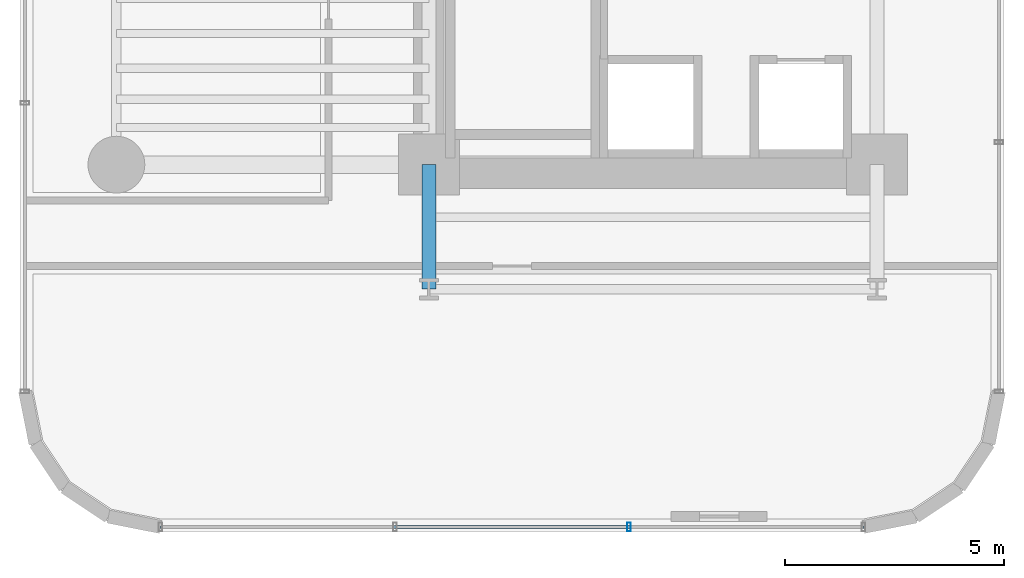
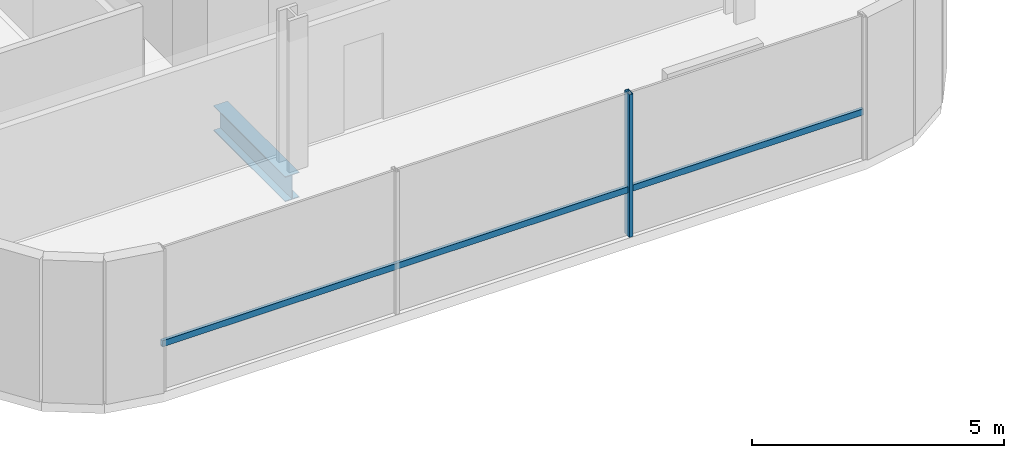
# One storey, part 3 of 40: 2 members, 1 beam, 1 element without a shape of its own.
"""IFC4 building model written with IfcOpenShell, lengths in metres."""

from ifc_helpers import new_model, si_unit, direction, frame, origin, origin_2d, place, context, subcontext, project, spatial, hollow_rectangle, i_section, extrude, source, transform, mapped, material, material_profile, profile_set, type_object, element, aggregate, save


model = new_model("IFC4")

# Units and contexts
model_context = context("Model", 3, precision=1e-05, world=origin(), true_north=direction((0.0, 1.0)))
body_context = subcontext(model_context, "Body", "Model", "MODEL_VIEW")
ifc_project = project(units=[si_unit("LENGTHUNIT", "METRE"), si_unit("AREAUNIT", "SQUARE_METRE"), si_unit("VOLUMEUNIT", "CUBIC_METRE"), si_unit("PLANEANGLEUNIT", "RADIAN"), si_unit("MASSUNIT", "GRAM", prefix="KILO")], contexts=[model_context])

# Site, building, storey
site_placement = place(None, origin())
site = spatial("IfcSite", under=ifc_project, at=site_placement, CompositionType="ELEMENT")
building_placement = place(site_placement, origin())
building = spatial("IfcBuilding", under=site, at=building_placement, Name="Valdorenza Pilgrim Sanctuary Tower", CompositionType="ELEMENT")
storey_placement = place(building_placement, frame((0.0, 0.0, 51.89990234375)))
storey = spatial("IfcBuildingStorey", under=building, at=storey_placement, Name="L12", CompositionType="ELEMENT", Elevation=51.89990234375)

# Beam
ifc_material_1 = material(Name="Steel ASTM A992 Grade 50", Category="steel")
ifc_material_profile_1 = material_profile(ifc_material_1, i_section(OverallWidth=0.323974609375, OverallDepth=0.611083984375, WebThickness=0.0126953125, FlangeThickness=0.01904296875, at=origin_2d()), Name="W24X104")
ifc_profile_set_1 = profile_set([ifc_material_profile_1], Name="Steel ASTM A992 Grade 50")
beam_type = type_object("IfcBeamType", Name="STR-BM-GRD-W24B", PredefinedType="BEAM", material=ifc_profile_set_1)
shared_shape_1 = source(origin(), body_context, "Body", "SweptSolid", [
    extrude(i_section(OverallWidth=0.323974609375, OverallDepth=0.611083984375, WebThickness=0.0126953125, FlangeThickness=0.01904296875, at=origin_2d()), origin(), (0.0, 0.0, 1.0), 2.849853515625),
])
beam_placement = place(storey_placement, frame((-22.64990234375, -13.449951171875, -0.54541015625), z_axis=(0.0, 1.0, 0.0), x_axis=(-1.0, 0.0, 0.0)))
element("IfcBeam", 1, at=beam_placement, inside=storey, type_object=beam_type, Name="L12 Floor Girder WA-S-LW", PredefinedType="BEAM", context=body_context, shape_type="MappedRepresentation", body=[
    mapped(shared_shape_1, transform((0.0, 0.0, 0.0), x_axis=(1.0, 0.0, 0.0), y_axis=(0.0, 1.0, 0.0), z_axis=(0.0, 0.0, 1.0), scale=1.0)),
])

# Curtain wall, members
ifc_material_2 = material(Name="Curtain-wall IGU glazing", Category="glass")
curtain_wall_type = type_object("IfcCurtainWallType", Name="CW-SYS-02", PredefinedType="NOTDEFINED", material=ifc_material_2)
curtain_wall_placement = place(storey_placement, origin())
curtain_wall = element("IfcCurtainWall", 2, at=curtain_wall_placement, inside=storey, type_object=curtain_wall_type, Name="L12 Curtain Wall CW-L12-1-46", PredefinedType="NOTDEFINED")
ifc_material_3 = material(Name="Anodised aluminium AW-6060", Category="aluminium")
ifc_material_profile_2 = material_profile(ifc_material_3, hollow_rectangle(XDim=0.074951171875, YDim=0.14990234375, WallThickness=0.00390625, at=origin_2d()), Name="ALU-T 150x75x4")
ifc_profile_set_2 = profile_set([ifc_material_profile_2], Name="Anodised aluminium AW-6060")
member_type_1 = type_object("IfcMemberType", Name="CW-TRN-02", PredefinedType="USERDEFINED", material=ifc_profile_set_2)
shared_shape_2 = source(origin(), body_context, "Body", "SweptSolid", [
    extrude(hollow_rectangle(XDim=0.074951171875, YDim=0.14990234375, WallThickness=0.00390625, at=origin_2d()), origin(), (0.0, 0.0, 1.0), 16.07861328125),
])
member_1_placement = place(storey_placement, frame((-12.710693359375, -18.889892578125, 1.1201171875), z_axis=(-1.0, 0.0, 0.0), x_axis=(0.0, -1.0, 0.0)))
member_1 = element("IfcMember", 3, at=member_1_placement, type_object=member_type_1, Name="CW-L12-1-46 Transom 1", ObjectType="TRANSOM", PredefinedType="USERDEFINED", context=body_context, shape_type="MappedRepresentation", body=[
    mapped(shared_shape_2, transform((0.0, 0.0, 0.0), x_axis=(1.0, 0.0, 0.0), y_axis=(0.0, 1.0, 0.0), z_axis=(0.0, 0.0, 1.0), scale=1.0)),
])
ifc_material_profile_3 = material_profile(ifc_material_3, hollow_rectangle(XDim=0.0849609375, YDim=0.199951171875, WallThickness=0.0048828125, at=origin_2d()), Name="ALU-M 200x85x5")
ifc_profile_set_3 = profile_set([ifc_material_profile_3], Name="Anodised aluminium AW-6060")
member_type_2 = type_object("IfcMemberType", Name="CW-MUL-02", PredefinedType="MULLION", material=ifc_profile_set_3)
shared_shape_3 = source(origin(), body_context, "Body", "SweptSolid", [
    extrude(hollow_rectangle(XDim=0.0849609375, YDim=0.199951171875, WallThickness=0.0048828125, at=origin_2d()), origin(), (0.0, 0.0, 1.0), 3.460205078125),
])
member_2_placement = place(storey_placement, frame((-18.0703125, -18.889892578125, 0.0), z_axis=(0.0, 0.0, 1.0), x_axis=(-1.0, 0.0, 0.0)))
member_2 = element("IfcMember", 4, at=member_2_placement, type_object=member_type_2, Name="CW-L12-1-46 Mullion 2", PredefinedType="MULLION", context=body_context, shape_type="MappedRepresentation", body=[
    mapped(shared_shape_3, transform((0.0, 0.0, 0.0), x_axis=(1.0, 0.0, 0.0), y_axis=(0.0, 1.0, 0.0), z_axis=(0.0, 0.0, 1.0), scale=1.0)),
])
aggregate(curtain_wall, [member_2, member_1])

save(model, "model.ifc")
